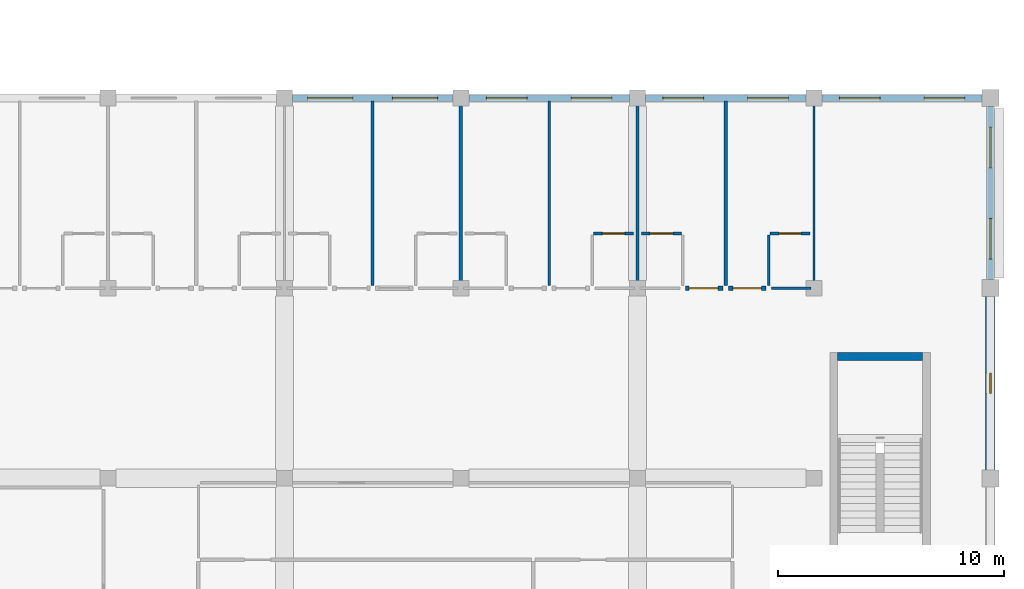
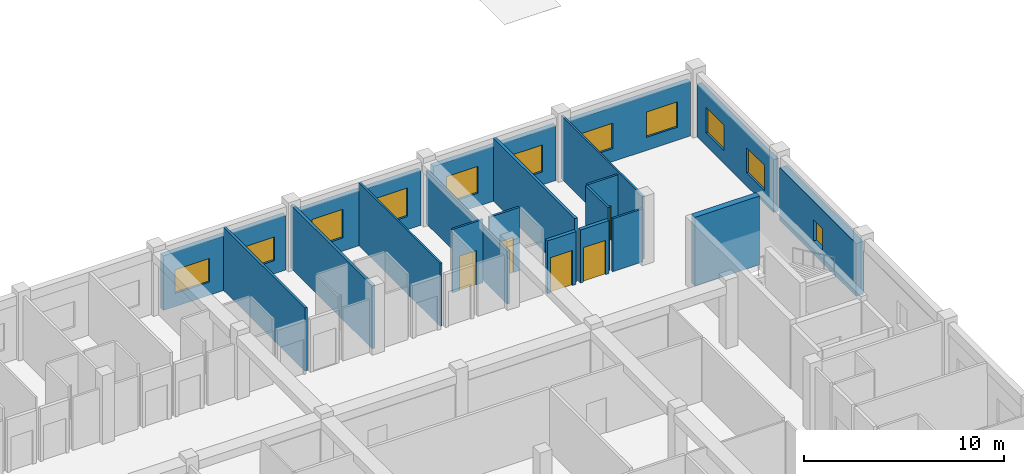
# One storey, part 43 of 53: 20 walls, 11 windows, 5 doors, 16 openings.
"""IFC4 building model written with IfcOpenShell, lengths in metres."""

import ifcopenshell
import ifcopenshell.guid

model = None  # the IFC model being written
_history = None  # IfcOwnerHistory: only IFC2X3 demands one
_inside = {}  # id of a spatial element -> (the spatial element, [elements in it])
_under = {}  # id of a project, library or spatial element -> (it, [spatial elements below it])
_declared = {}  # id of a project -> (the project, [libraries it declares])
_typed = {}  # id of a type object -> (the type object, [elements of that type])
_made_of = {}  # id of a material, layer set ... -> (it, [elements and type objects made of it])


def new_model(schema):
    """Start an empty IFC model of exactly this schema.

    Asked for "IFC4X3", IfcOpenShell would pick the latest addendum, in which some entities
    have other attributes; the version numbers below select the first issue.
    IFC2X3 requires an IfcOwnerHistory on every rooted entity: one is made here for all.
    """
    global model, _history
    if schema == "IFC4X3":
        model = ifcopenshell.file(schema_version=(4, 3, 0, 0))
    else:
        model = ifcopenshell.file(schema=schema)
    _inside.clear()
    _under.clear()
    _declared.clear()
    _typed.clear()
    _made_of.clear()
    _history = None
    if model.schema == "IFC2X3":
        org = make("IfcOrganization", Name="unknown")
        user = make(
            "IfcPersonAndOrganization",
            ThePerson=make("IfcPerson", FamilyName="unknown"),
            TheOrganization=org,
        )
        app = make(
            "IfcApplication",
            ApplicationDeveloper=org,
            Version="unknown",
            ApplicationFullName="unknown",
            ApplicationIdentifier="unknown",
        )
        _history = make(
            "IfcOwnerHistory",
            OwningUser=user,
            OwningApplication=app,
            ChangeAction="ADDED",
            CreationDate=0,
        )
    return model


def make(cls, **values):
    """One entity of the class cls with the attributes given. An attribute that is None is left unset."""
    return model.create_entity(
        cls, **{name: value for name, value in values.items() if value is not None}
    )


def rooted(cls, **values):
    """An entity with a GlobalId (a new one), such as an element, a storey or a relation."""
    return make(cls, GlobalId=ifcopenshell.guid.new(), OwnerHistory=_history, **values)


def si_unit(unit_type, name, prefix=None):
    """IfcSIUnit, for example si_unit("LENGTHUNIT", "METRE", prefix="MILLI")."""
    return make("IfcSIUnit", UnitType=unit_type, Prefix=prefix, Name=name)


def assignment(units):
    """IfcUnitAssignment: the units of a project."""
    return None if units is None else make("IfcUnitAssignment", Units=units)


def point(xyz):
    """IfcCartesianPoint."""
    return None if xyz is None else make("IfcCartesianPoint", Coordinates=xyz)


def direction(xyz):
    """IfcDirection."""
    return None if xyz is None else make("IfcDirection", DirectionRatios=xyz)


def frame(location, z_axis=None, x_axis=None):
    """IfcAxis2Placement3D, a coordinate frame: its origin and axes. An axis left out is left unset."""
    return make(
        "IfcAxis2Placement3D",
        Location=point(location),
        Axis=direction(z_axis),
        RefDirection=direction(x_axis),
    )


def frame_2d(location, x_axis=None):
    """IfcAxis2Placement2D, a coordinate frame in the plane: its origin and x axis."""
    return make(
        "IfcAxis2Placement2D", Location=point(location), RefDirection=direction(x_axis)
    )


def origin():
    """The frame at (0, 0, 0) with its axes left unset."""
    return frame((0.0, 0.0, 0.0))


def place(relative_to, where):
    """IfcLocalPlacement: puts the frame where relative to a parent placement (None: the world)."""
    return make(
        "IfcLocalPlacement", PlacementRelTo=relative_to, RelativePlacement=where
    )


def context(
    kind, dimensions, precision=None, world=None, true_north=None, identifier=None
):
    """IfcGeometricRepresentationContext, for example the 3D "Model" context."""
    return make(
        "IfcGeometricRepresentationContext",
        ContextIdentifier=identifier,
        ContextType=kind,
        CoordinateSpaceDimension=dimensions,
        Precision=precision,
        WorldCoordinateSystem=world,
        TrueNorth=true_north,
    )


def subcontext(parent, identifier, kind, view, scale=None):
    """IfcGeometricRepresentationSubContext, for example "Body" below "Model"."""
    return make(
        "IfcGeometricRepresentationSubContext",
        ContextIdentifier=identifier,
        ContextType=kind,
        ParentContext=parent,
        TargetScale=scale,
        TargetView=view,
    )


def project(units=None, contexts=None):
    """IfcProject with its units and contexts."""
    return rooted(
        "IfcProject",
        Name="project",
        RepresentationContexts=contexts,
        UnitsInContext=assignment(units),
    )


def spatial(cls, under=None, at=None, **own):
    """A site, building, storey or space (cls), placed at a placement, below another one or the project."""
    s = rooted(cls, ObjectPlacement=at, **own)
    if under is not None:
        _under.setdefault(under.id(), (under, []))[1].append(s)
    return s


def profile(cls, at=None, kind="AREA", **sizes):
    """A parametric profile (cls). Its sizes go by their IFC names, for example OverallWidth=200.0."""
    return make(cls, ProfileType=kind, Position=at, **sizes)


def rectangle(**sizes):
    """IfcRectangleProfileDef."""
    return profile("IfcRectangleProfileDef", **sizes)


def extrude(swept, where, along, depth):
    """IfcExtrudedAreaSolid: the profile swept, set in the frame where, extruded along a direction by depth."""
    return make(
        "IfcExtrudedAreaSolid",
        SweptArea=swept,
        Position=where,
        ExtrudedDirection=direction(along),
        Depth=depth,
    )


def shape(context_of_items, identifier, shape_type, items):
    """IfcShapeRepresentation: the items that make up one representation, for example the "Body"."""
    return make(
        "IfcShapeRepresentation",
        ContextOfItems=context_of_items,
        RepresentationIdentifier=identifier,
        RepresentationType=shape_type,
        Items=items,
    )


def material(Name=None, Category=None):
    """IfcMaterial."""
    return make("IfcMaterial", Name=Name, Category=Category)


def layer(
    of_material, thickness, ventilated=None, Name=None, Category=None, Priority=None
):
    """IfcMaterialLayer: one layer of a wall or slab, of a material (None: an air gap)."""
    return make(
        "IfcMaterialLayer",
        Material=of_material,
        LayerThickness=thickness,
        IsVentilated=ventilated,
        Name=Name,
        Category=Category,
        Priority=Priority,
    )


def layer_set(layers, Name=None):
    """IfcMaterialLayerSet."""
    return make("IfcMaterialLayerSet", MaterialLayers=layers, LayerSetName=Name)


def made_of(thing, what):
    """Note that an element or type object is made of a material, layer set ...; save() writes the relation."""
    if what is not None:
        _made_of.setdefault(what.id(), (what, []))[1].append(thing)
    return thing


def type_object(cls, material=None, **own):
    """A type object (cls), such as IfcWallType, which elements share."""
    return made_of(rooted(cls, **own), material)


def element(
    cls,
    number,
    at=None,
    inside=None,
    cuts=None,
    type_object=None,
    material=None,
    context=None,
    identifier="Body",
    shape_type=None,
    held_by="IfcProductDefinitionShape",
    body=None,
    shapes=None,
    **own,
):
    """One element of the class cls, such as IfcWall. Its Tag is "e" and its number.

    at: its placement. inside: the storey or other place that contains it. cuts: it is an
    opening in that element (IfcRelVoidsElement). A single representation is given by context,
    identifier, shape_type and body (its items); several are given by shapes. held_by: the class
    of the entity that holds the representations. save() writes the other relations.
    """
    e = rooted(cls, Tag="e%d" % number, ObjectPlacement=at, **own)
    if body is not None:
        shapes = [shape(context, identifier, shape_type, body)]
    if shapes is not None:
        e.Representation = make(held_by, Representations=shapes)
    if inside is not None:
        _inside.setdefault(inside.id(), (inside, []))[1].append(e)
    if cuts is not None:
        rooted(
            "IfcRelVoidsElement", RelatingBuildingElement=cuts, RelatedOpeningElement=e
        )
    if type_object is not None:
        _typed.setdefault(type_object.id(), (type_object, []))[1].append(e)
    return made_of(e, material)


def fill(opening, filler):
    """IfcRelFillsElement: the door or window that sits in an opening."""
    return rooted(
        "IfcRelFillsElement",
        RelatingOpeningElement=opening,
        RelatedBuildingElement=filler,
    )


def aggregate(whole, parts):
    """IfcRelAggregates: a whole, such as a stair, and the parts it consists of."""
    return rooted("IfcRelAggregates", RelatingObject=whole, RelatedObjects=parts)


def save(model, path):
    """Write the relations noted so far, then the file.

    IfcRelAggregates (storeys below a building ...), IfcRelContainedInSpatialStructure (elements
    in a storey), IfcRelDefinesByType, IfcRelAssociatesMaterial and IfcRelDeclares: one each for
    every whole, place, type object, material and project.
    """
    for whole, parts in _under.values():
        aggregate(whole, parts)
    for where, things in _inside.values():
        rooted(
            "IfcRelContainedInSpatialStructure",
            RelatedElements=things,
            RelatingStructure=where,
        )
    for kind, things in _typed.values():
        rooted("IfcRelDefinesByType", RelatedObjects=things, RelatingType=kind)
    for what, things in _made_of.values():
        rooted("IfcRelAssociatesMaterial", RelatedObjects=things, RelatingMaterial=what)
    for by, libraries in _declared.values():
        rooted("IfcRelDeclares", RelatingContext=by, RelatedDefinitions=libraries)
    model.write(path)


model = new_model("IFC4")

# Units and contexts
model_context = context("Model", 3, precision=1e-05, world=origin(), true_north=direction((0.0, 1.0)))
body_context = subcontext(model_context, "Body", "Model", "MODEL_VIEW")
ifc_project = project(units=[si_unit("LENGTHUNIT", "METRE"), si_unit("AREAUNIT", "SQUARE_METRE"), si_unit("VOLUMEUNIT", "CUBIC_METRE"), si_unit("PLANEANGLEUNIT", "RADIAN"), si_unit("MASSUNIT", "GRAM", prefix="KILO"), si_unit("THERMODYNAMICTEMPERATUREUNIT", "KELVIN"), si_unit("POWERUNIT", "WATT")], contexts=[model_context])

# Site, building, storey
site_placement = place(None, origin())
site = spatial("IfcSite", under=ifc_project, at=site_placement, CompositionType="ELEMENT")
building_placement = place(site_placement, origin())
building = spatial("IfcBuilding", under=site, at=building_placement, Name="Srebrne Nadtorze General Hospital", CompositionType="ELEMENT")
storey_placement = place(building_placement, frame((0.0, 0.0, 18.0)))
storey = spatial("IfcBuildingStorey", under=building, at=storey_placement, Name="L04", CompositionType="ELEMENT", Elevation=18.0)

# Wall, opening, window
ifc_material_1 = material(Name="Concrete C40/50", Category="concrete")
ifc_layer_1 = layer(ifc_material_1, 0.419921875)
ifc_layer_set_1 = layer_set([ifc_layer_1], Name="Concrete C40/50")
wall_type_1 = type_object("IfcWallType", Name="Acoustic buffer wall 420", PredefinedType="SOLIDWALL", material=ifc_layer_set_1)
wall_1_placement = place(storey_placement, frame((148.199951171875, 75.97509765625, 0.0), z_axis=(0.0, 0.0, 1.0), x_axis=(0.0, 1.0, 0.0)))
wall_1 = element("IfcWall", 1, at=wall_1_placement, inside=storey, type_object=wall_type_1, Name="Exterior wall WL-ENV-L04-0402", PredefinedType="SOLIDWALL", context=body_context, shape_type="SweptSolid", body=[
    extrude(rectangle(XDim=7.64990234375, YDim=0.419921875, at=frame_2d((3.824951171875, 0.0))), origin(), (0.0, 0.0, 1.0), 3.235107421875),
])
opening_1_placement = place(wall_1_placement, frame((3.375, 0.0, 0.800048828125)))
opening_1 = element("IfcOpeningElement", 2, at=opening_1_placement, cuts=wall_1, Name="Opening WN-L04-0630", PredefinedType="OPENING", context=body_context, shape_type="SweptSolid", body=[
    extrude(rectangle(XDim=0.89990234375, YDim=1.300048828125, at=frame_2d((0.449951171875, 0.64990234375))), frame((0.0, 0.221923828125, 0.0), z_axis=(0.0, -1.0, 0.0), x_axis=(1.0, 0.0, 0.0)), (0.0, 0.0, 1.0), 0.44384765625),
])
ifc_material_2 = material(Name="Triple Low-E Glazing", Category="glass")
window_type_1 = type_object("IfcWindowType", Name="Punched clinical window 900x1300", PartitioningType="SINGLE_PANEL", PredefinedType="WINDOW", material=ifc_material_2)
window_1_placement = place(opening_1_placement, origin())
window_1 = element("IfcWindow", 3, at=window_1_placement, inside=storey, type_object=window_type_1, Name="Clinical window WN-L04-0630", OverallHeight=1.300048828125, OverallWidth=0.89990234375, PartitioningType="SINGLE_PANEL", PredefinedType="WINDOW", context=body_context, shape_type="SweptSolid", body=[
    extrude(rectangle(XDim=0.89990234375, YDim=1.300048828125, at=frame_2d((0.449951171875, 0.64990234375))), frame((0.0, 0.030029296875, 0.0), z_axis=(0.0, -1.0, 0.0), x_axis=(1.0, 0.0, 0.0)), (0.0, 0.0, 1.0), 0.06005859375),
])
fill(opening_1, window_1)

# Walls
ifc_material_3 = material(Name="Gypsum Healthcare Partition")
ifc_layer_2 = layer(ifc_material_3, 0.139892578125)
ifc_layer_set_2 = layer_set([ifc_layer_2], Name="Gypsum Healthcare Partition")
wall_type_2 = type_object("IfcWallType", Name="Clinical partition 140", PredefinedType="PARTITIONING", material=ifc_layer_set_2)
wall_2_placement = place(storey_placement, frame((120.89990234375, 84.1201171875, 0.0), z_axis=(0.0, 0.0, 1.0), x_axis=(0.0, 1.0, 0.0)))
element("IfcWall", 4, at=wall_2_placement, inside=storey, type_object=wall_type_2, Name="Ward inter-room partition WL-INT-L04-1746", PredefinedType="PARTITIONING", context=body_context, shape_type="SweptSolid", body=[
    extrude(rectangle(XDim=8.159912109375, YDim=0.139892578125, at=frame_2d((4.080078125, 0.0))), origin(), (0.0, 0.0, 1.0), 3.864990234375),
])
wall_3_placement = place(storey_placement, frame((132.60009765625, 84.1201171875, 0.0), z_axis=(0.0, 0.0, 1.0), x_axis=(0.0, 1.0, 0.0)))
element("IfcWall", 5, at=wall_3_placement, inside=storey, type_object=wall_type_2, Name="Ward inter-room partition WL-INT-L04-1761", PredefinedType="PARTITIONING", context=body_context, shape_type="SweptSolid", body=[
    extrude(rectangle(XDim=8.159912109375, YDim=0.139892578125, at=frame_2d((4.080078125, 0.0))), origin(), (0.0, 0.0, 1.0), 3.235107421875),
])
ifc_material_4 = material(Name="Gypsum Healthcare Partition")
ifc_layer_3 = layer(ifc_material_4, 0.159912109375)
ifc_layer_set_3 = layer_set([ifc_layer_3], Name="Gypsum Healthcare Partition")
wall_type_3 = type_object("IfcWallType", Name="Clinical partition 160", PredefinedType="PARTITIONING", material=ifc_layer_set_3)
for number, where, z_axis, x_axis, name in (
    (6, (124.800048828125, 84.1201171875, 0.0), (0.0, 0.0, 1.0), (0.0, 1.0, 0.0), "Ward inter-room partition WL-INT-L04-1751"),
    (7, (136.5, 84.1201171875, 0.0), (0.0, 0.0, 1.0), (0.0, 1.0, 0.0), "Ward inter-room partition WL-INT-L04-1766"),
):
    element("IfcWall", number, at=place(storey_placement, frame(where, z_axis=z_axis, x_axis=x_axis)), inside=storey, type_object=wall_type_3, Name=name, PredefinedType="PARTITIONING", context=body_context, shape_type="SweptSolid", body=[
        extrude(rectangle(XDim=8.159912109375, YDim=0.159912109375, at=frame_2d((4.080078125, 0.0))), origin(), (0.0, 0.0, 1.0), 3.864990234375),
    ])

# Wall, opening, door
ifc_material_5 = material(Name="Gypsum Healthcare Partition")
ifc_layer_4 = layer(ifc_material_5, 0.199951171875)
ifc_layer_set_4 = layer_set([ifc_layer_4], Name="Gypsum Healthcare Partition")
wall_type_4 = type_object("IfcWallType", Name="Compartment wall 200", PredefinedType="STANDARD", material=ifc_layer_set_4)
wall_4_placement = place(storey_placement, frame((134.719970703125, 84.0, 0.0), z_axis=(0.0, 0.0, 1.0), x_axis=(1.0, 0.0, 0.0)))
wall_4 = element("IfcWall", 8, at=wall_4_placement, inside=storey, type_object=wall_type_4, Name="Ward corridor wall WL-INT-L04-1767", PredefinedType="STANDARD", context=body_context, shape_type="SweptSolid", body=[
    extrude(rectangle(XDim=1.659912109375, YDim=0.199951171875, at=frame_2d((0.830078125, 0.0))), origin(), (0.0, 0.0, 1.0), 3.235107421875),
])
opening_2_placement = place(wall_4_placement, frame((0.169921875, 0.0, 0.0)))
opening_2 = element("IfcOpeningElement", 9, at=opening_2_placement, cuts=wall_4, Name="Opening D-L04-0322", PredefinedType="OPENING", context=body_context, shape_type="SweptSolid", body=[
    extrude(rectangle(XDim=1.280029296875, YDim=2.14990234375, at=frame_2d((0.64013671875, 1.074951171875))), frame((0.0, 0.11181640625, 0.0), z_axis=(0.0, -1.0, 0.0), x_axis=(1.0, 0.0, 0.0)), (0.0, 0.0, 1.0), 0.223876953125),
])
ifc_material_6 = material(Name="Anodised Aluminium", Category="aluminium")
door_type_1 = type_object("IfcDoorType", Name="Single leaf door 1280x2150", OperationType="NOTDEFINED", PredefinedType="DOOR", material=ifc_material_6)
door_1_placement = place(opening_2_placement, origin())
door_1 = element("IfcDoor", 10, at=door_1_placement, inside=storey, type_object=door_type_1, Name="Ward patient room door D-L04-0322", OperationType="SINGLE_SWING_LEFT", OverallHeight=2.14990234375, OverallWidth=1.280029296875, PredefinedType="DOOR", context=body_context, shape_type="SweptSolid", body=[
    extrude(rectangle(XDim=1.280029296875, YDim=2.14990234375, at=frame_2d((0.64013671875, 1.074951171875))), frame((0.0, 0.02490234375, 0.0), z_axis=(0.0, -1.0, 0.0), x_axis=(1.0, 0.0, 0.0)), (0.0, 0.0, 1.0), 0.050048828125),
])
fill(opening_2, door_1)

wall_5_placement = place(storey_placement, frame((136.6201171875, 84.0, 0.0), z_axis=(0.0, 0.0, 1.0), x_axis=(1.0, 0.0, 0.0)))
wall_5 = element("IfcWall", 11, at=wall_5_placement, inside=storey, type_object=wall_type_4, Name="Ward corridor wall WL-INT-L04-1772", PredefinedType="STANDARD", context=body_context, shape_type="SweptSolid", body=[
    extrude(rectangle(XDim=1.659912109375, YDim=0.199951171875, at=frame_2d((0.830078125, 0.0))), origin(), (0.0, 0.0, 1.0), 3.235107421875),
])
opening_3_placement = place(wall_5_placement, frame((0.199951171875, 0.0, 0.0)))
opening_3 = element("IfcOpeningElement", 12, at=opening_3_placement, cuts=wall_5, Name="Opening D-L04-0324", PredefinedType="OPENING", context=body_context, shape_type="SweptSolid", body=[
    extrude(rectangle(XDim=1.260009765625, YDim=2.10009765625, at=frame_2d((0.6298828125, 1.050048828125))), frame((0.0, 0.11181640625, 0.0), z_axis=(0.0, -1.0, 0.0), x_axis=(1.0, 0.0, 0.0)), (0.0, 0.0, 1.0), 0.223876953125),
])
ifc_material_7 = material(Name="Anodised Aluminium", Category="aluminium")
door_type_2 = type_object("IfcDoorType", Name="Single leaf door 1260x2100", OperationType="NOTDEFINED", PredefinedType="DOOR", material=ifc_material_7)
door_2_placement = place(opening_3_placement, origin())
door_2 = element("IfcDoor", 13, at=door_2_placement, inside=storey, type_object=door_type_2, Name="Ward patient room door D-L04-0324", OperationType="SINGLE_SWING_RIGHT", OverallHeight=2.10009765625, OverallWidth=1.260009765625, PredefinedType="DOOR", context=body_context, shape_type="SweptSolid", body=[
    extrude(rectangle(XDim=1.260009765625, YDim=2.10009765625, at=frame_2d((0.6298828125, 1.050048828125))), frame((0.0, 0.02490234375, 0.0), z_axis=(0.0, -1.0, 0.0), x_axis=(1.0, 0.0, 0.0)), (0.0, 0.0, 1.0), 0.050048828125),
])
fill(opening_3, door_2)

ifc_material_8 = material(Name="Gypsum Healthcare Partition")
ifc_layer_5 = layer(ifc_material_8, 0.1201171875)
ifc_layer_set_5 = layer_set([ifc_layer_5], Name="Gypsum Healthcare Partition")
wall_type_5 = type_object("IfcWallType", Name="En-suite partition 120", PredefinedType="PARTITIONING", material=ifc_layer_set_5)
wall_6_placement = place(storey_placement, frame((130.659912109375, 86.419921875, 0.0), z_axis=(0.0, 0.0, 1.0), x_axis=(1.0, 0.0, 0.0)))
wall_6 = element("IfcWall", 14, at=wall_6_placement, inside=storey, type_object=wall_type_5, Name="En-suite wet wall WL-INT-L04-1765", PredefinedType="PARTITIONING", context=body_context, shape_type="SweptSolid", body=[
    extrude(rectangle(XDim=1.760009765625, YDim=0.1201171875, at=frame_2d((0.8798828125, 0.0))), origin(), (0.0, 0.0, 1.0), 3.864990234375),
])
opening_4_placement = place(wall_6_placement, frame((0.389892578125, 0.0, 0.0)))
opening_4 = element("IfcOpeningElement", 15, at=opening_4_placement, cuts=wall_6, Name="Opening D-L04-0321", PredefinedType="OPENING", context=body_context, shape_type="SweptSolid", body=[
    extrude(rectangle(XDim=0.97998046875, YDim=2.10009765625, at=frame_2d((0.489990234375, 1.050048828125))), frame((0.0, 0.072021484375, 0.0), z_axis=(0.0, -1.0, 0.0), x_axis=(1.0, 0.0, 0.0)), (0.0, 0.0, 1.0), 0.14404296875),
])
ifc_material_9 = material(Name="Anodised Aluminium", Category="aluminium")
door_type_3 = type_object("IfcDoorType", Name="Single leaf door 980x2100", OperationType="NOTDEFINED", PredefinedType="DOOR", material=ifc_material_9)
door_3_placement = place(opening_4_placement, frame((0.97998046875, 0.0, 0.0), z_axis=(0.0, 0.0, 1.0), x_axis=(-1.0, 0.0, 0.0)))
door_3 = element("IfcDoor", 16, at=door_3_placement, inside=storey, type_object=door_type_3, Name="En-suite bathroom door D-L04-0321", OperationType="SINGLE_SWING_RIGHT", OverallHeight=2.10009765625, OverallWidth=0.97998046875, PredefinedType="DOOR", context=body_context, shape_type="SweptSolid", body=[
    extrude(rectangle(XDim=0.97998046875, YDim=2.10009765625, at=frame_2d((0.489990234375, 1.050048828125))), frame((0.0, 0.02490234375, 0.0), z_axis=(0.0, -1.0, 0.0), x_axis=(1.0, 0.0, 0.0)), (0.0, 0.0, 1.0), 0.050048828125),
])
fill(opening_4, door_3)

wall_7_placement = place(storey_placement, frame((132.780029296875, 86.419921875, 0.0), z_axis=(0.0, 0.0, 1.0), x_axis=(1.0, 0.0, 0.0)))
wall_7 = element("IfcWall", 17, at=wall_7_placement, inside=storey, type_object=wall_type_5, Name="En-suite wet wall WL-INT-L04-1770", PredefinedType="PARTITIONING", context=body_context, shape_type="SweptSolid", body=[
    extrude(rectangle(XDim=1.760009765625, YDim=0.1201171875, at=frame_2d((0.8798828125, 0.0))), origin(), (0.0, 0.0, 1.0), 3.864990234375),
])
opening_5_placement = place(wall_7_placement, frame((0.3701171875, 0.0, 0.0)))
opening_5 = element("IfcOpeningElement", 18, at=opening_5_placement, cuts=wall_7, Name="Opening D-L04-0323", PredefinedType="OPENING", context=body_context, shape_type="SweptSolid", body=[
    extrude(rectangle(XDim=1.02001953125, YDim=2.14990234375, at=frame_2d((0.510009765625, 1.074951171875))), frame((0.0, 0.072021484375, 0.0), z_axis=(0.0, -1.0, 0.0), x_axis=(1.0, 0.0, 0.0)), (0.0, 0.0, 1.0), 0.14404296875),
])
ifc_material_10 = material(Name="Anodised Aluminium", Category="aluminium")
door_type_4 = type_object("IfcDoorType", Name="Single leaf door 1020x2150", OperationType="NOTDEFINED", PredefinedType="DOOR", material=ifc_material_10)
door_4_placement = place(opening_5_placement, frame((1.02001953125, 0.0, 0.0), z_axis=(0.0, 0.0, 1.0), x_axis=(-1.0, 0.0, 0.0)))
door_4 = element("IfcDoor", 19, at=door_4_placement, inside=storey, type_object=door_type_4, Name="En-suite bathroom door D-L04-0323", OperationType="SINGLE_SWING_RIGHT", OverallHeight=2.14990234375, OverallWidth=1.02001953125, PredefinedType="DOOR", context=body_context, shape_type="SweptSolid", body=[
    extrude(rectangle(XDim=1.02001953125, YDim=2.14990234375, at=frame_2d((0.510009765625, 1.074951171875))), frame((0.0, 0.02490234375, 0.0), z_axis=(0.0, -1.0, 0.0), x_axis=(1.0, 0.0, 0.0)), (0.0, 0.0, 1.0), 0.050048828125),
])
fill(opening_5, door_4)

# Walls
wall_8_placement = place(storey_placement, frame((138.52001953125, 84.0, 0.0), z_axis=(0.0, 0.0, 1.0), x_axis=(1.0, 0.0, 0.0)))
element("IfcWall", 20, at=wall_8_placement, inside=storey, type_object=wall_type_5, Name="En-suite corridor wall WL-INT-L04-1773", PredefinedType="PARTITIONING", context=body_context, shape_type="SweptSolid", body=[
    extrude(rectangle(XDim=1.760009765625, YDim=0.1201171875, at=frame_2d((0.8798828125, 0.0))), origin(), (0.0, 0.0, 1.0), 3.235107421875),
])
wall_9_placement = place(storey_placement, frame((138.39990234375, 84.1201171875, 0.0), z_axis=(0.0, 0.0, 1.0), x_axis=(0.0, 1.0, 0.0)))
element("IfcWall", 21, at=wall_9_placement, inside=storey, type_object=wall_type_5, Name="En-suite wet wall WL-INT-L04-1774", PredefinedType="PARTITIONING", context=body_context, shape_type="SweptSolid", body=[
    extrude(rectangle(XDim=2.239990234375, YDim=0.1201171875, at=frame_2d((1.1201171875, 0.0))), origin(), (0.0, 0.0, 1.0), 3.864990234375),
])

# Wall, opening, door
wall_10_placement = place(storey_placement, frame((138.4599609375, 86.419921875, 0.0), z_axis=(0.0, 0.0, 1.0), x_axis=(1.0, 0.0, 0.0)))
wall_10 = element("IfcWall", 22, at=wall_10_placement, inside=storey, type_object=wall_type_5, Name="En-suite wet wall WL-INT-L04-1775", PredefinedType="PARTITIONING", context=body_context, shape_type="SweptSolid", body=[
    extrude(rectangle(XDim=1.760009765625, YDim=0.1201171875, at=frame_2d((0.8798828125, 0.0))), origin(), (0.0, 0.0, 1.0), 3.864990234375),
])
opening_6_placement = place(wall_10_placement, frame((0.39990234375, 0.0, 0.0)))
opening_6 = element("IfcOpeningElement", 23, at=opening_6_placement, cuts=wall_10, Name="Opening D-L04-0325", PredefinedType="OPENING", context=body_context, shape_type="SweptSolid", body=[
    extrude(rectangle(XDim=0.9599609375, YDim=2.1201171875, at=frame_2d((0.47998046875, 1.06005859375))), frame((0.0, 0.072021484375, 0.0), z_axis=(0.0, -1.0, 0.0), x_axis=(1.0, 0.0, 0.0)), (0.0, 0.0, 1.0), 0.14404296875),
])
ifc_material_11 = material(Name="Anodised Aluminium", Category="aluminium")
door_type_5 = type_object("IfcDoorType", Name="Single leaf door 960x2120", OperationType="NOTDEFINED", PredefinedType="DOOR", material=ifc_material_11)
door_5_placement = place(opening_6_placement, frame((0.9599609375, 0.0, 0.0), z_axis=(0.0, 0.0, 1.0), x_axis=(-1.0, 0.0, 0.0)))
door_5 = element("IfcDoor", 24, at=door_5_placement, inside=storey, type_object=door_type_5, Name="En-suite bathroom door D-L04-0325", OperationType="SINGLE_SWING_RIGHT", OverallHeight=2.1201171875, OverallWidth=0.9599609375, PredefinedType="DOOR", context=body_context, shape_type="SweptSolid", body=[
    extrude(rectangle(XDim=0.9599609375, YDim=2.1201171875, at=frame_2d((0.47998046875, 1.06005859375))), frame((0.0, 0.02490234375, 0.0), z_axis=(0.0, -1.0, 0.0), x_axis=(1.0, 0.0, 0.0)), (0.0, 0.0, 1.0), 0.050048828125),
])
fill(opening_6, door_5)

# Walls
ifc_material_12 = material(Name="Gypsum Healthcare Partition")
ifc_layer_6 = layer(ifc_material_12, 0.10009765625)
ifc_layer_set_6 = layer_set([ifc_layer_6], Name="Gypsum Healthcare Partition")
wall_type_6 = type_object("IfcWallType", Name="Shaft lining wall 100", PredefinedType="PARTITIONING", material=ifc_layer_set_6)
for number, where, z_axis, x_axis, name in (
    (25, (128.699951171875, 84.1201171875, 0.0), (0.0, 0.0, 1.0), (0.0, 1.0, 0.0), "Ward inter-room partition WL-INT-L04-1756"),
    (26, (140.39990234375, 84.1201171875, 0.0), (0.0, 0.0, 1.0), (0.0, 1.0, 0.0), "Ward inter-room partition WL-INT-L04-1771"),
):
    element("IfcWall", number, at=place(storey_placement, frame(where, z_axis=z_axis, x_axis=x_axis)), inside=storey, type_object=wall_type_6, Name=name, PredefinedType="PARTITIONING", context=body_context, shape_type="SweptSolid", body=[
        extrude(rectangle(XDim=8.159912109375, YDim=0.10009765625, at=frame_2d((4.080078125, 0.0))), origin(), (0.0, 0.0, 1.0), 3.864990234375),
    ])
ifc_material_13 = material(Name="Concrete C40/50", Category="concrete")
ifc_layer_7 = layer(ifc_material_13, 0.35009765625)
ifc_layer_set_7 = layer_set([ifc_layer_7], Name="Concrete C40/50")
wall_type_7 = type_object("IfcWallType", Name="Shear core wall 350", PredefinedType="SHEAR", material=ifc_layer_set_7)
wall_11_placement = place(storey_placement, frame((141.449951171875, 80.97509765625, 0.0), z_axis=(0.0, 0.0, 1.0), x_axis=(1.0, 0.0, 0.0)))
element("IfcWall", 27, at=wall_11_placement, inside=storey, type_object=wall_type_7, Name="Stair core wall ST-04 WL-INT-L04-0315", PredefinedType="SHEAR", context=body_context, shape_type="SweptSolid", body=[
    extrude(rectangle(XDim=3.75, YDim=0.35009765625, at=frame_2d((1.875, 0.0))), origin(), (0.0, 0.0, 1.0), 4.199951171875),
])

# Wall, openings, windows
ifc_material_14 = material(Name="Concrete C35/45 precast", Category="concrete")
ifc_layer_8 = layer(ifc_material_14, 0.280029296875)
ifc_layer_set_8 = layer_set([ifc_layer_8], Name="Concrete C35/45 precast")
wall_type_8 = type_object("IfcWallType", Name="Spandrel wall 280", PredefinedType="STANDARD", material=ifc_layer_set_8)
wall_12_placement = place(storey_placement, frame((117.35009765625, 92.39990234375, 0.0), z_axis=(0.0, 0.0, 1.0), x_axis=(1.0, 0.0, 0.0)))
wall_12 = element("IfcWall", 28, at=wall_12_placement, inside=storey, type_object=wall_type_8, Name="Exterior wall WL-ENV-L04-0372", PredefinedType="STANDARD", context=body_context, shape_type="SweptSolid", body=[
    extrude(rectangle(XDim=7.099853515625, YDim=0.280029296875, at=frame_2d((3.5498046875, 0.0))), origin(), (0.0, 0.0, 1.0), 3.3349609375),
])
opening_7_placement = place(wall_12_placement, frame((0.677978515625, 0.0, 0.800048828125)))
opening_7 = element("IfcOpeningElement", 29, at=opening_7_placement, cuts=wall_12, Name="Opening WN-L04-0567", PredefinedType="OPENING", context=body_context, shape_type="SweptSolid", body=[
    extrude(rectangle(XDim=2.0, YDim=1.449951171875, at=frame_2d((1.0, 0.72509765625))), frame((0.0, 0.15185546875, 0.0), z_axis=(0.0, -1.0, 0.0), x_axis=(1.0, 0.0, 0.0)), (0.0, 0.0, 1.0), 0.303955078125),
])
opening_8_placement = place(wall_12_placement, frame((4.422119140625, 0.0, 0.800048828125)))
opening_8 = element("IfcOpeningElement", 30, at=opening_8_placement, cuts=wall_12, Name="Opening WN-L04-0568", PredefinedType="OPENING", context=body_context, shape_type="SweptSolid", body=[
    extrude(rectangle(XDim=2.0, YDim=1.449951171875, at=frame_2d((1.0, 0.72509765625))), frame((0.0, 0.15185546875, 0.0), z_axis=(0.0, -1.0, 0.0), x_axis=(1.0, 0.0, 0.0)), (0.0, 0.0, 1.0), 0.303955078125),
])
ifc_material_15 = material(Name="Triple Low-E Glazing", Category="glass")
window_type_2 = type_object("IfcWindowType", Name="Punched clinical window 2000x1450", PartitioningType="DOUBLE_PANEL_VERTICAL", PredefinedType="WINDOW", material=ifc_material_15)
window_2_placement = place(opening_7_placement, origin())
window_2 = element("IfcWindow", 31, at=window_2_placement, inside=storey, type_object=window_type_2, Name="Clinical window WN-L04-0567", OverallHeight=1.449951171875, OverallWidth=2.0, PartitioningType="DOUBLE_PANEL_VERTICAL", PredefinedType="WINDOW", context=body_context, shape_type="SweptSolid", body=[
    extrude(rectangle(XDim=2.0, YDim=1.449951171875, at=frame_2d((1.0, 0.72509765625))), frame((0.0, 0.030029296875, 0.0), z_axis=(0.0, -1.0, 0.0), x_axis=(1.0, 0.0, 0.0)), (0.0, 0.0, 1.0), 0.06005859375),
])
fill(opening_7, window_2)
window_3_placement = place(opening_8_placement, origin())
window_3 = element("IfcWindow", 32, at=window_3_placement, inside=storey, type_object=window_type_2, Name="Clinical window WN-L04-0568", OverallHeight=1.449951171875, OverallWidth=2.0, PartitioningType="DOUBLE_PANEL_VERTICAL", PredefinedType="WINDOW", context=body_context, shape_type="SweptSolid", body=[
    extrude(rectangle(XDim=2.0, YDim=1.449951171875, at=frame_2d((1.0, 0.72509765625))), frame((0.0, 0.030029296875, 0.0), z_axis=(0.0, -1.0, 0.0), x_axis=(1.0, 0.0, 0.0)), (0.0, 0.0, 1.0), 0.06005859375),
])
fill(opening_8, window_3)

wall_13_placement = place(storey_placement, frame((125.14990234375, 92.39990234375, 0.0), z_axis=(0.0, 0.0, 1.0), x_axis=(1.0, 0.0, 0.0)))
wall_13 = element("IfcWall", 33, at=wall_13_placement, inside=storey, type_object=wall_type_8, Name="Exterior wall WL-ENV-L04-0373", PredefinedType="STANDARD", context=body_context, shape_type="SweptSolid", body=[
    extrude(rectangle(XDim=7.10009765625, YDim=0.280029296875, at=frame_2d((3.550048828125, 0.0))), origin(), (0.0, 0.0, 1.0), 3.3349609375),
])
opening_9_placement = place(wall_13_placement, frame((0.778076171875, 0.0, 0.800048828125)))
opening_9 = element("IfcOpeningElement", 34, at=opening_9_placement, cuts=wall_13, Name="Opening WN-L04-0569", PredefinedType="OPENING", context=body_context, shape_type="SweptSolid", body=[
    extrude(rectangle(XDim=1.800048828125, YDim=1.75, at=frame_2d((0.89990234375, 0.875))), frame((0.0, 0.15185546875, 0.0), z_axis=(0.0, -1.0, 0.0), x_axis=(1.0, 0.0, 0.0)), (0.0, 0.0, 1.0), 0.303955078125),
])
opening_10_placement = place(wall_13_placement, frame((4.52197265625, 0.0, 0.800048828125)))
opening_10 = element("IfcOpeningElement", 35, at=opening_10_placement, cuts=wall_13, Name="Opening WN-L04-0570", PredefinedType="OPENING", context=body_context, shape_type="SweptSolid", body=[
    extrude(rectangle(XDim=1.800048828125, YDim=1.75, at=frame_2d((0.89990234375, 0.875))), frame((0.0, 0.15185546875, 0.0), z_axis=(0.0, -1.0, 0.0), x_axis=(1.0, 0.0, 0.0)), (0.0, 0.0, 1.0), 0.303955078125),
])
ifc_material_16 = material(Name="Triple Low-E Glazing", Category="glass")
window_type_3 = type_object("IfcWindowType", Name="Punched clinical window 1800x1750", PartitioningType="DOUBLE_PANEL_VERTICAL", PredefinedType="WINDOW", material=ifc_material_16)
window_4_placement = place(opening_9_placement, origin())
window_4 = element("IfcWindow", 36, at=window_4_placement, inside=storey, type_object=window_type_3, Name="Clinical window WN-L04-0569", OverallHeight=1.75, OverallWidth=1.800048828125, PartitioningType="DOUBLE_PANEL_VERTICAL", PredefinedType="WINDOW", context=body_context, shape_type="SweptSolid", body=[
    extrude(rectangle(XDim=1.800048828125, YDim=1.75, at=frame_2d((0.89990234375, 0.875))), frame((0.0, 0.030029296875, 0.0), z_axis=(0.0, -1.0, 0.0), x_axis=(1.0, 0.0, 0.0)), (0.0, 0.0, 1.0), 0.06005859375),
])
fill(opening_9, window_4)
window_5_placement = place(opening_10_placement, origin())
window_5 = element("IfcWindow", 37, at=window_5_placement, inside=storey, type_object=window_type_3, Name="Clinical window WN-L04-0570", OverallHeight=1.75, OverallWidth=1.800048828125, PartitioningType="DOUBLE_PANEL_VERTICAL", PredefinedType="WINDOW", context=body_context, shape_type="SweptSolid", body=[
    extrude(rectangle(XDim=1.800048828125, YDim=1.75, at=frame_2d((0.89990234375, 0.875))), frame((0.0, 0.030029296875, 0.0), z_axis=(0.0, -1.0, 0.0), x_axis=(1.0, 0.0, 0.0)), (0.0, 0.0, 1.0), 0.06005859375),
])
fill(opening_10, window_5)

wall_14_placement = place(storey_placement, frame((132.949951171875, 92.39990234375, 0.0), z_axis=(0.0, 0.0, 1.0), x_axis=(1.0, 0.0, 0.0)))
wall_14 = element("IfcWall", 38, at=wall_14_placement, inside=storey, type_object=wall_type_8, Name="Exterior wall WL-ENV-L04-0374", PredefinedType="STANDARD", context=body_context, shape_type="SweptSolid", body=[
    extrude(rectangle(XDim=7.10009765625, YDim=0.280029296875, at=frame_2d((3.550048828125, 0.0))), origin(), (0.0, 0.0, 1.0), 3.3349609375),
])
opening_11_placement = place(wall_14_placement, frame((0.778076171875, 0.0, 0.800048828125)))
opening_11 = element("IfcOpeningElement", 39, at=opening_11_placement, cuts=wall_14, Name="Opening WN-L04-0571", PredefinedType="OPENING", context=body_context, shape_type="SweptSolid", body=[
    extrude(rectangle(XDim=1.800048828125, YDim=1.64990234375, at=frame_2d((0.89990234375, 0.824951171875))), frame((0.0, 0.15185546875, 0.0), z_axis=(0.0, -1.0, 0.0), x_axis=(1.0, 0.0, 0.0)), (0.0, 0.0, 1.0), 0.303955078125),
])
opening_12_placement = place(wall_14_placement, frame((4.52197265625, 0.0, 0.800048828125)))
opening_12 = element("IfcOpeningElement", 40, at=opening_12_placement, cuts=wall_14, Name="Opening WN-L04-0572", PredefinedType="OPENING", context=body_context, shape_type="SweptSolid", body=[
    extrude(rectangle(XDim=1.800048828125, YDim=1.64990234375, at=frame_2d((0.89990234375, 0.824951171875))), frame((0.0, 0.15185546875, 0.0), z_axis=(0.0, -1.0, 0.0), x_axis=(1.0, 0.0, 0.0)), (0.0, 0.0, 1.0), 0.303955078125),
])
ifc_material_17 = material(Name="Triple Low-E Glazing", Category="glass")
window_type_4 = type_object("IfcWindowType", Name="Punched clinical window 1800x1650", PartitioningType="DOUBLE_PANEL_VERTICAL", PredefinedType="WINDOW", material=ifc_material_17)
window_6_placement = place(opening_11_placement, origin())
window_6 = element("IfcWindow", 41, at=window_6_placement, inside=storey, type_object=window_type_4, Name="Clinical window WN-L04-0571", OverallHeight=1.64990234375, OverallWidth=1.800048828125, PartitioningType="DOUBLE_PANEL_VERTICAL", PredefinedType="WINDOW", context=body_context, shape_type="SweptSolid", body=[
    extrude(rectangle(XDim=1.800048828125, YDim=1.64990234375, at=frame_2d((0.89990234375, 0.824951171875))), frame((0.0, 0.030029296875, 0.0), z_axis=(0.0, -1.0, 0.0), x_axis=(1.0, 0.0, 0.0)), (0.0, 0.0, 1.0), 0.06005859375),
])
fill(opening_11, window_6)
window_7_placement = place(opening_12_placement, origin())
window_7 = element("IfcWindow", 42, at=window_7_placement, inside=storey, type_object=window_type_4, Name="Clinical window WN-L04-0572", OverallHeight=1.64990234375, OverallWidth=1.800048828125, PartitioningType="DOUBLE_PANEL_VERTICAL", PredefinedType="WINDOW", context=body_context, shape_type="SweptSolid", body=[
    extrude(rectangle(XDim=1.800048828125, YDim=1.64990234375, at=frame_2d((0.89990234375, 0.824951171875))), frame((0.0, 0.030029296875, 0.0), z_axis=(0.0, -1.0, 0.0), x_axis=(1.0, 0.0, 0.0)), (0.0, 0.0, 1.0), 0.06005859375),
])
fill(opening_12, window_7)

wall_15_placement = place(storey_placement, frame((140.75, 92.39990234375, 0.0), z_axis=(0.0, 0.0, 1.0), x_axis=(1.0, 0.0, 0.0)))
wall_15 = element("IfcWall", 43, at=wall_15_placement, inside=storey, type_object=wall_type_8, Name="Exterior wall WL-ENV-L04-0375", PredefinedType="STANDARD", context=body_context, shape_type="SweptSolid", body=[
    extrude(rectangle(XDim=7.074951171875, YDim=0.280029296875, at=frame_2d((3.53759765625, 0.0))), origin(), (0.0, 0.0, 1.0), 3.3349609375),
])
opening_13_placement = place(wall_15_placement, frame((0.778076171875, 0.0, 0.800048828125)))
opening_13 = element("IfcOpeningElement", 44, at=opening_13_placement, cuts=wall_15, Name="Opening WN-L04-0573", PredefinedType="OPENING", context=body_context, shape_type="SweptSolid", body=[
    extrude(rectangle(XDim=1.800048828125, YDim=1.550048828125, at=frame_2d((0.89990234375, 0.77490234375))), frame((0.0, 0.15185546875, 0.0), z_axis=(0.0, -1.0, 0.0), x_axis=(1.0, 0.0, 0.0)), (0.0, 0.0, 1.0), 0.303955078125),
])
opening_14_placement = place(wall_15_placement, frame((4.52197265625, 0.0, 0.800048828125)))
opening_14 = element("IfcOpeningElement", 45, at=opening_14_placement, cuts=wall_15, Name="Opening WN-L04-0574", PredefinedType="OPENING", context=body_context, shape_type="SweptSolid", body=[
    extrude(rectangle(XDim=1.800048828125, YDim=1.550048828125, at=frame_2d((0.89990234375, 0.77490234375))), frame((0.0, 0.15185546875, 0.0), z_axis=(0.0, -1.0, 0.0), x_axis=(1.0, 0.0, 0.0)), (0.0, 0.0, 1.0), 0.303955078125),
])
ifc_material_18 = material(Name="Triple Low-E Glazing", Category="glass")
window_type_5 = type_object("IfcWindowType", Name="Punched clinical window 1800x1550", PartitioningType="DOUBLE_PANEL_VERTICAL", PredefinedType="WINDOW", material=ifc_material_18)
window_8_placement = place(opening_13_placement, origin())
window_8 = element("IfcWindow", 46, at=window_8_placement, inside=storey, type_object=window_type_5, Name="Clinical window WN-L04-0573", OverallHeight=1.550048828125, OverallWidth=1.800048828125, PartitioningType="DOUBLE_PANEL_VERTICAL", PredefinedType="WINDOW", context=body_context, shape_type="SweptSolid", body=[
    extrude(rectangle(XDim=1.800048828125, YDim=1.550048828125, at=frame_2d((0.89990234375, 0.77490234375))), frame((0.0, 0.030029296875, 0.0), z_axis=(0.0, -1.0, 0.0), x_axis=(1.0, 0.0, 0.0)), (0.0, 0.0, 1.0), 0.06005859375),
])
fill(opening_13, window_8)
window_9_placement = place(opening_14_placement, origin())
window_9 = element("IfcWindow", 47, at=window_9_placement, inside=storey, type_object=window_type_5, Name="Clinical window WN-L04-0574", OverallHeight=1.550048828125, OverallWidth=1.800048828125, PartitioningType="DOUBLE_PANEL_VERTICAL", PredefinedType="WINDOW", context=body_context, shape_type="SweptSolid", body=[
    extrude(rectangle(XDim=1.800048828125, YDim=1.550048828125, at=frame_2d((0.89990234375, 0.77490234375))), frame((0.0, 0.030029296875, 0.0), z_axis=(0.0, -1.0, 0.0), x_axis=(1.0, 0.0, 0.0)), (0.0, 0.0, 1.0), 0.06005859375),
])
fill(opening_14, window_9)

wall_16_placement = place(storey_placement, frame((148.199951171875, 84.375, 0.0), z_axis=(0.0, 0.0, 1.0), x_axis=(0.0, 1.0, 0.0)))
wall_16 = element("IfcWall", 48, at=wall_16_placement, inside=storey, type_object=wall_type_8, Name="Exterior wall WL-ENV-L04-0403", PredefinedType="STANDARD", context=body_context, shape_type="SweptSolid", body=[
    extrude(rectangle(XDim=7.64990234375, YDim=0.280029296875, at=frame_2d((3.824951171875, 0.0))), origin(), (0.0, 0.0, 1.0), 3.235107421875),
])
opening_15_placement = place(wall_16_placement, frame((0.908935546875, 0.0, 0.800048828125)))
opening_15 = element("IfcOpeningElement", 49, at=opening_15_placement, cuts=wall_16, Name="Opening WN-L04-0631", PredefinedType="OPENING", context=body_context, shape_type="SweptSolid", body=[
    extrude(rectangle(XDim=1.800048828125, YDim=1.550048828125, at=frame_2d((0.89990234375, 0.77490234375))), frame((0.0, 0.15185546875, 0.0), z_axis=(0.0, -1.0, 0.0), x_axis=(1.0, 0.0, 0.0)), (0.0, 0.0, 1.0), 0.303955078125),
])
opening_16_placement = place(wall_16_placement, frame((4.94091796875, 0.0, 0.800048828125)))
opening_16 = element("IfcOpeningElement", 50, at=opening_16_placement, cuts=wall_16, Name="Opening WN-L04-0632", PredefinedType="OPENING", context=body_context, shape_type="SweptSolid", body=[
    extrude(rectangle(XDim=1.800048828125, YDim=1.550048828125, at=frame_2d((0.89990234375, 0.77490234375))), frame((0.0, 0.15185546875, 0.0), z_axis=(0.0, -1.0, 0.0), x_axis=(1.0, 0.0, 0.0)), (0.0, 0.0, 1.0), 0.303955078125),
])
window_10_placement = place(opening_15_placement, origin())
window_10 = element("IfcWindow", 51, at=window_10_placement, inside=storey, type_object=window_type_5, Name="Clinical window WN-L04-0631", OverallHeight=1.550048828125, OverallWidth=1.800048828125, PartitioningType="DOUBLE_PANEL_VERTICAL", PredefinedType="WINDOW", context=body_context, shape_type="SweptSolid", body=[
    extrude(rectangle(XDim=1.800048828125, YDim=1.550048828125, at=frame_2d((0.89990234375, 0.77490234375))), frame((0.0, 0.030029296875, 0.0), z_axis=(0.0, -1.0, 0.0), x_axis=(1.0, 0.0, 0.0)), (0.0, 0.0, 1.0), 0.06005859375),
])
fill(opening_15, window_10)
window_11_placement = place(opening_16_placement, origin())
window_11 = element("IfcWindow", 52, at=window_11_placement, inside=storey, type_object=window_type_5, Name="Clinical window WN-L04-0632", OverallHeight=1.550048828125, OverallWidth=1.800048828125, PartitioningType="DOUBLE_PANEL_VERTICAL", PredefinedType="WINDOW", context=body_context, shape_type="SweptSolid", body=[
    extrude(rectangle(XDim=1.800048828125, YDim=1.550048828125, at=frame_2d((0.89990234375, 0.77490234375))), frame((0.0, 0.030029296875, 0.0), z_axis=(0.0, -1.0, 0.0), x_axis=(1.0, 0.0, 0.0)), (0.0, 0.0, 1.0), 0.06005859375),
])
fill(opening_16, window_11)

save(model, "model.ifc")
